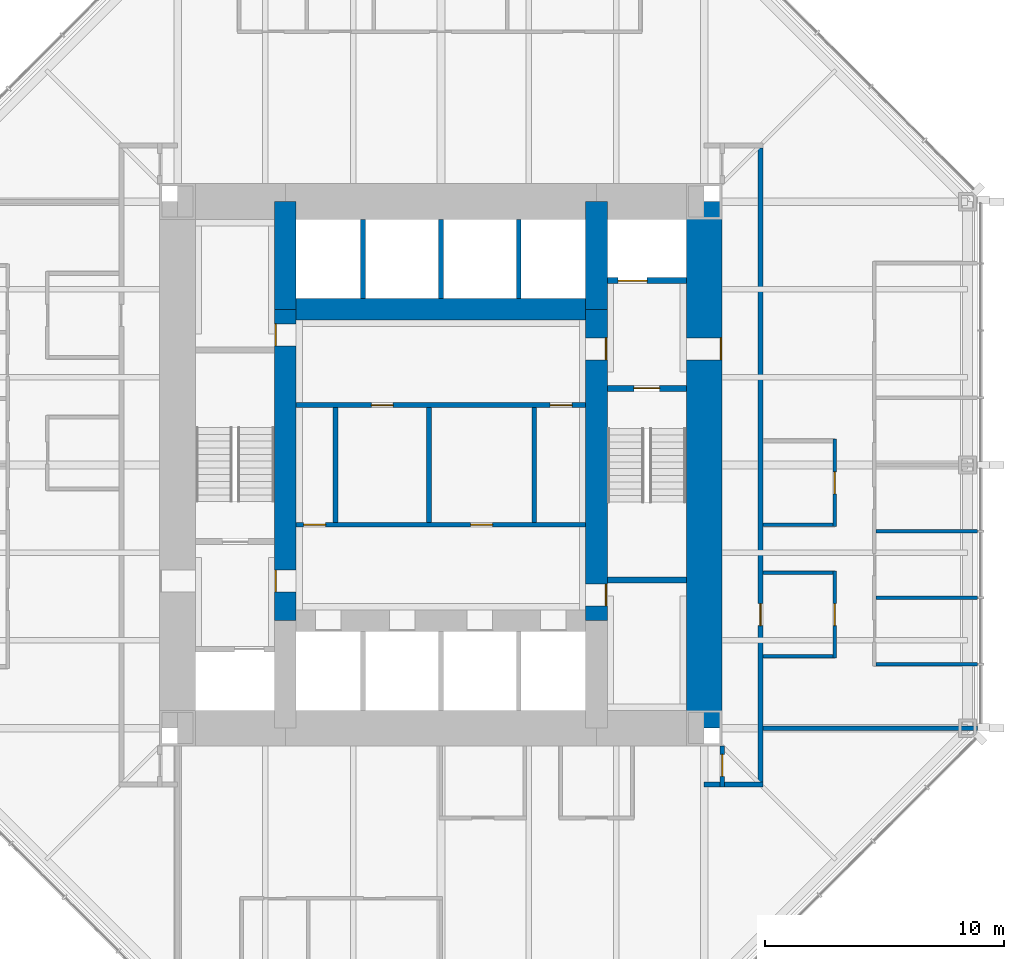
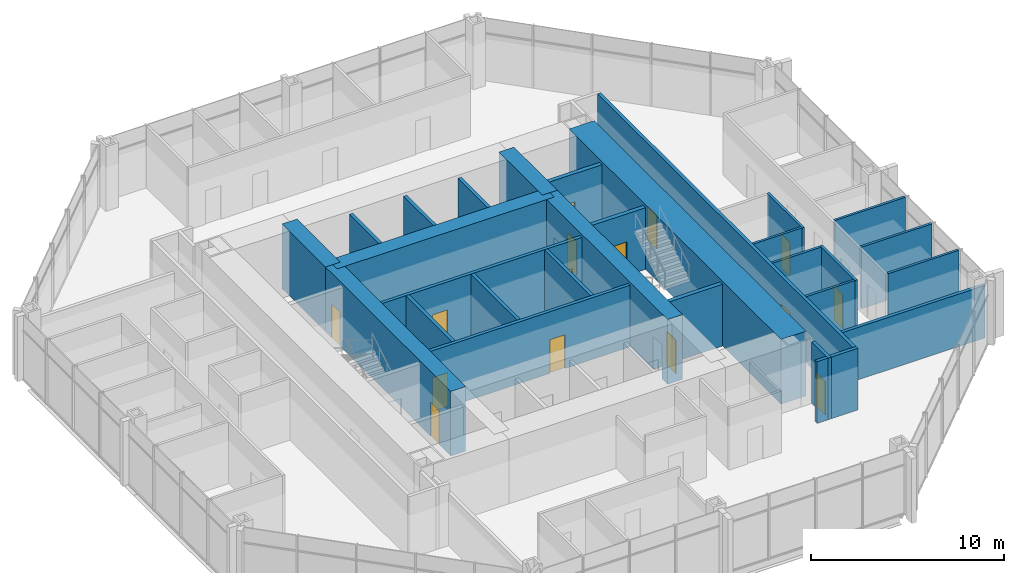
# One storey, part 10 of 12: 29 walls, 15 doors, 15 openings.
"""IFC4 building model written with IfcOpenShell, lengths in metres."""

from ifc_helpers import new_model, si_unit, direction, frame, frame_2d, origin, place, context, subcontext, project, spatial, rectangle, extrude, material, layer, layer_set, type_object, element, fill, save


model = new_model("IFC4")

# Units and contexts
model_context = context("Model", 3, precision=1e-05, world=origin(), true_north=direction((0.0, 1.0)))
body_context = subcontext(model_context, "Body", "Model", "MODEL_VIEW")
ifc_project = project(units=[si_unit("LENGTHUNIT", "METRE"), si_unit("AREAUNIT", "SQUARE_METRE"), si_unit("VOLUMEUNIT", "CUBIC_METRE"), si_unit("PLANEANGLEUNIT", "RADIAN"), si_unit("MASSUNIT", "GRAM", prefix="KILO")], contexts=[model_context])

# Site, building, storey
site_placement = place(None, origin())
site = spatial("IfcSite", under=ifc_project, at=site_placement, CompositionType="ELEMENT")
building_placement = place(site_placement, origin())
building = spatial("IfcBuilding", under=site, at=building_placement, Name="Trevanion Tower", CompositionType="ELEMENT")
storey_placement = place(building_placement, frame((0.0, 0.0, 121.300048828125)))
storey = spatial("IfcBuildingStorey", under=building, at=storey_placement, Name="L28", CompositionType="ELEMENT", Elevation=121.300048828125)

# Wall, opening, door
ifc_material_1 = material(Name="Concrete 10,000 psi", Category="concrete")
ifc_layer_1 = layer(ifc_material_1, 1.5)
ifc_layer_set_1 = layer_set([ifc_layer_1], Name="CW1 core wall 1500")
wall_type_1 = type_object("IfcWallType", Name="CW1 core wall 1500", PredefinedType="SHEAR", material=ifc_layer_set_1)
wall_1_placement = place(storey_placement, frame((11.0, -11.0, 0.0), z_axis=(0.0, 0.0, 1.0), x_axis=(0.0, 1.0, 0.0)))
wall_1 = element("IfcWall", 1, at=wall_1_placement, inside=storey, type_object=wall_type_1, Name="CW1 CE L28", PredefinedType="SHEAR", context=body_context, shape_type="SweptSolid", body=[
    extrude(rectangle(XDim=22.0, YDim=1.5, at=frame_2d((11.0, 0.0))), origin(), (0.0, 0.0, 1.0), 4.099853515625),
])
opening_1_placement = place(wall_1_placement, frame((15.392578125, 0.0, 0.0)))
opening_1 = element("IfcOpeningElement", 2, at=opening_1_placement, cuts=wall_1, Name="Opening 28-001", PredefinedType="OPENING", context=body_context, shape_type="SweptSolid", body=[
    extrude(rectangle(XDim=0.9150390625, YDim=2.134033203125, at=frame_2d((0.45751953125, 1.06689453125))), frame((0.0, 0.760009765625, 0.0), z_axis=(0.0, -1.0, 0.0), x_axis=(1.0, 0.0, 0.0)), (0.0, 0.0, 1.0), 1.52001953125),
])
ifc_material_2 = material(Name="Hollow metal, fire rated", Category="steel")
door_type_1 = type_object("IfcDoorType", Name="D3 fire lift lobby door", OperationType="SINGLE_SWING_RIGHT", PredefinedType="DOOR", material=ifc_material_2)
door_1_placement = place(opening_1_placement, origin())
door_1 = element("IfcDoor", 3, at=door_1_placement, inside=storey, type_object=door_type_1, Name="Door 28-001", OperationType="SINGLE_SWING_RIGHT", OverallHeight=2.134033203125, OverallWidth=0.9150390625, PredefinedType="DOOR", context=body_context, shape_type="SweptSolid", body=[
    extrude(rectangle(XDim=0.9150390625, YDim=2.134033203125, at=frame_2d((0.45751953125, 1.06689453125))), frame((0.0, -0.6748046875, 0.0), z_axis=(0.0, -1.0, 0.0), x_axis=(1.0, 0.0, 0.0)), (0.0, 0.0, 1.0), 0.050048828125),
])
fill(opening_1, door_1)

# Wall, openings, doors
ifc_material_3 = material(Name="Concrete 10,000 psi", Category="concrete")
ifc_layer_2 = layer(ifc_material_3, 0.89990234375)
ifc_layer_set_2 = layer_set([ifc_layer_2], Name="CW2 core wall 900")
wall_type_2 = type_object("IfcWallType", Name="CW2 core wall 900", PredefinedType="SHEAR", material=ifc_layer_set_2)
wall_2_placement = place(storey_placement, frame((6.5, -6.5, 0.0), z_axis=(0.0, 0.0, 1.0), x_axis=(0.0, 1.0, 0.0)))
wall_2 = element("IfcWall", 4, at=wall_2_placement, inside=storey, type_object=wall_type_2, Name="CW2 RE2 L28", PredefinedType="SHEAR", context=body_context, shape_type="SweptSolid", body=[
    extrude(rectangle(XDim=13.0, YDim=0.89990234375, at=frame_2d((6.5, 0.0))), origin(), (0.0, 0.0, 1.0), 4.099853515625),
])
opening_2_placement = place(wall_2_placement, frame((10.892578125, 0.0, 0.0)))
opening_2 = element("IfcOpeningElement", 5, at=opening_2_placement, cuts=wall_2, Name="Opening 28-003", PredefinedType="OPENING", context=body_context, shape_type="SweptSolid", body=[
    extrude(rectangle(XDim=0.9150390625, YDim=2.134033203125, at=frame_2d((0.45751953125, 1.06689453125))), frame((0.0, 0.4599609375, 0.0), z_axis=(0.0, -1.0, 0.0), x_axis=(1.0, 0.0, 0.0)), (0.0, 0.0, 1.0), 0.919921875),
])
opening_3_placement = place(wall_2_placement, frame((0.610107421875, 0.0, 0.0)))
opening_3 = element("IfcOpeningElement", 6, at=opening_3_placement, cuts=wall_2, Name="Opening 28-009", PredefinedType="OPENING", context=body_context, shape_type="SweptSolid", body=[
    extrude(rectangle(XDim=0.9150390625, YDim=2.134033203125, at=frame_2d((0.45751953125, 1.06689453125))), frame((0.0, 0.4599609375, 0.0), z_axis=(0.0, -1.0, 0.0), x_axis=(1.0, 0.0, 0.0)), (0.0, 0.0, 1.0), 0.919921875),
])
door_2_placement = place(opening_2_placement, origin())
door_2 = element("IfcDoor", 7, at=door_2_placement, inside=storey, type_object=door_type_1, Name="Door 28-003", OperationType="SINGLE_SWING_RIGHT", OverallHeight=2.134033203125, OverallWidth=0.9150390625, PredefinedType="DOOR", context=body_context, shape_type="SweptSolid", body=[
    extrude(rectangle(XDim=0.9150390625, YDim=2.134033203125, at=frame_2d((0.45751953125, 1.06689453125))), frame((0.0, -0.375, 0.0), z_axis=(0.0, -1.0, 0.0), x_axis=(1.0, 0.0, 0.0)), (0.0, 0.0, 1.0), 0.050048828125),
])
fill(opening_2, door_2)
ifc_material_4 = material(Name="Hollow metal, fire rated", Category="steel")
door_type_2 = type_object("IfcDoorType", Name="D5 service room door", OperationType="SINGLE_SWING_RIGHT", PredefinedType="DOOR", material=ifc_material_4)
door_3_placement = place(opening_3_placement, origin())
door_3 = element("IfcDoor", 8, at=door_3_placement, inside=storey, type_object=door_type_2, Name="Door 28-009", OperationType="SINGLE_SWING_RIGHT", OverallHeight=2.134033203125, OverallWidth=0.9150390625, PredefinedType="DOOR", context=body_context, shape_type="SweptSolid", body=[
    extrude(rectangle(XDim=0.9150390625, YDim=2.134033203125, at=frame_2d((0.45751953125, 1.06689453125))), frame((0.0, -0.375, 0.0), z_axis=(0.0, -1.0, 0.0), x_axis=(1.0, 0.0, 0.0)), (0.0, 0.0, 1.0), 0.050048828125),
])
fill(opening_3, door_3)

# Walls
for number, where, z_axis, x_axis, name in (
    (9, (6.5, 6.5, 0.0), (0.0, 0.0, 1.0), (0.0, 1.0, 0.0), "CW2 RE3 L28"),
    (10, (-6.5, 11.0, 0.0), (0.0, 0.0, 1.0), (0.0, -1.0, 0.0), "CW2 RW1 L28"),
):
    element("IfcWall", number, at=place(storey_placement, frame(where, z_axis=z_axis, x_axis=x_axis)), inside=storey, type_object=wall_type_2, Name=name, PredefinedType="SHEAR", context=body_context, shape_type="SweptSolid", body=[
        extrude(rectangle(XDim=4.5, YDim=0.89990234375, at=frame_2d((2.25, 0.0))), origin(), (0.0, 0.0, 1.0), 4.099853515625),
    ])

# Wall, openings, doors
wall_3_placement = place(storey_placement, frame((-6.5, 6.5, 0.0), z_axis=(0.0, 0.0, 1.0), x_axis=(0.0, -1.0, 0.0)))
wall_3 = element("IfcWall", 11, at=wall_3_placement, inside=storey, type_object=wall_type_2, Name="CW2 RW2 L28", PredefinedType="SHEAR", context=body_context, shape_type="SweptSolid", body=[
    extrude(rectangle(XDim=13.0, YDim=0.89990234375, at=frame_2d((6.5, 0.0))), origin(), (0.0, 0.0, 1.0), 4.099853515625),
])
opening_4_placement = place(wall_3_placement, frame((10.892578125, 0.0, 0.0)))
opening_4 = element("IfcOpeningElement", 12, at=opening_4_placement, cuts=wall_3, Name="Opening 28-004", PredefinedType="OPENING", context=body_context, shape_type="SweptSolid", body=[
    extrude(rectangle(XDim=0.9150390625, YDim=2.134033203125, at=frame_2d((0.45751953125, 1.06689453125))), frame((0.0, 0.4599609375, 0.0), z_axis=(0.0, -1.0, 0.0), x_axis=(1.0, 0.0, 0.0)), (0.0, 0.0, 1.0), 0.919921875),
])
opening_5_placement = place(wall_3_placement, frame((0.610107421875, 0.0, 0.0)))
opening_5 = element("IfcOpeningElement", 13, at=opening_5_placement, cuts=wall_3, Name="Opening 28-010", PredefinedType="OPENING", context=body_context, shape_type="SweptSolid", body=[
    extrude(rectangle(XDim=0.9150390625, YDim=2.134033203125, at=frame_2d((0.45751953125, 1.06689453125))), frame((0.0, 0.4599609375, 0.0), z_axis=(0.0, -1.0, 0.0), x_axis=(1.0, 0.0, 0.0)), (0.0, 0.0, 1.0), 0.919921875),
])
door_4_placement = place(opening_4_placement, origin())
door_4 = element("IfcDoor", 14, at=door_4_placement, inside=storey, type_object=door_type_1, Name="Door 28-004", OperationType="SINGLE_SWING_RIGHT", OverallHeight=2.134033203125, OverallWidth=0.9150390625, PredefinedType="DOOR", context=body_context, shape_type="SweptSolid", body=[
    extrude(rectangle(XDim=0.9150390625, YDim=2.134033203125, at=frame_2d((0.45751953125, 1.06689453125))), frame((0.0, -0.375, 0.0), z_axis=(0.0, -1.0, 0.0), x_axis=(1.0, 0.0, 0.0)), (0.0, 0.0, 1.0), 0.050048828125),
])
fill(opening_4, door_4)
door_5_placement = place(opening_5_placement, origin())
door_5 = element("IfcDoor", 15, at=door_5_placement, inside=storey, type_object=door_type_2, Name="Door 28-010", OperationType="SINGLE_SWING_RIGHT", OverallHeight=2.134033203125, OverallWidth=0.9150390625, PredefinedType="DOOR", context=body_context, shape_type="SweptSolid", body=[
    extrude(rectangle(XDim=0.9150390625, YDim=2.134033203125, at=frame_2d((0.45751953125, 1.06689453125))), frame((0.0, -0.375, 0.0), z_axis=(0.0, -1.0, 0.0), x_axis=(1.0, 0.0, 0.0)), (0.0, 0.0, 1.0), 0.050048828125),
])
fill(opening_5, door_5)

# Walls
wall_4_placement = place(storey_placement, frame((6.5, 6.5, 0.0), z_axis=(0.0, 0.0, 1.0), x_axis=(-1.0, 0.0, 0.0)))
element("IfcWall", 16, at=wall_4_placement, inside=storey, type_object=wall_type_2, Name="CW2 RN L28", PredefinedType="SHEAR", context=body_context, shape_type="SweptSolid", body=[
    extrude(rectangle(XDim=13.0, YDim=0.89990234375, at=frame_2d((6.5, 0.0))), origin(), (0.0, 0.0, 1.0), 4.099853515625),
])
ifc_material_5 = material(Name="Gypsum board on steel studs", Category="steel")
ifc_layer_3 = layer(ifc_material_5, 0.14990234375)
ifc_layer_set_3 = layer_set([ifc_layer_3], Name="PT1 partition 150")
wall_type_3 = type_object("IfcWallType", Name="PT1 partition 150", PredefinedType="PARTITIONING", material=ifc_layer_set_3)
for number, where, z_axis, x_axis, name in (
    (17, (18.175048828125, -8.322998046875, 0.0), (0.0, 0.0, 1.0), (1.0, 0.0, 0.0), "PT1 L28 FC0S0"),
    (18, (18.175048828125, -5.549072265625, 0.0), (0.0, 0.0, 1.0), (1.0, 0.0, 0.0), "PT1 L28 FC0S1"),
    (19, (18.175048828125, -2.77490234375, 0.0), (0.0, 0.0, 1.0), (1.0, 0.0, 0.0), "PT1 L28 FC0S2"),
):
    element("IfcWall", number, at=place(storey_placement, frame(where, z_axis=z_axis, x_axis=x_axis)), inside=storey, type_object=wall_type_3, Name=name, PredefinedType="PARTITIONING", context=body_context, shape_type="SweptSolid", body=[
        extrude(rectangle(XDim=4.239990234375, YDim=0.14990234375, at=frame_2d((2.1201171875, 0.0))), origin(), (0.0, 0.0, 1.0), 3.909912109375),
    ])

# Wall, opening, door
wall_5_placement = place(storey_placement, frame((16.449951171875, -8.074951171875, 0.0), z_axis=(0.0, 0.0, 1.0), x_axis=(0.0, 1.0, 0.0)))
wall_5 = element("IfcWall", 20, at=wall_5_placement, inside=storey, type_object=wall_type_3, Name="PT1 L28 IN00F", PredefinedType="PARTITIONING", context=body_context, shape_type="SweptSolid", body=[
    extrude(rectangle(XDim=3.64990234375, YDim=0.14990234375, at=frame_2d((1.824951171875, 0.0))), origin(), (0.0, 0.0, 1.0), 3.909912109375),
])
opening_6_placement = place(wall_5_placement, frame((1.367431640625, 0.0, 0.0)))
opening_6 = element("IfcOpeningElement", 21, at=opening_6_placement, cuts=wall_5, Name="Opening 28-039", PredefinedType="OPENING", context=body_context, shape_type="SweptSolid", body=[
    extrude(rectangle(XDim=0.9150390625, YDim=2.134033203125, at=frame_2d((0.45751953125, 1.06689453125))), frame((0.0, 0.0849609375, 0.0), z_axis=(0.0, -1.0, 0.0), x_axis=(1.0, 0.0, 0.0)), (0.0, 0.0, 1.0), 0.169921875),
])
ifc_material_6 = material(Name="Timber veneer, solid core", Category="wood")
door_type_3 = type_object("IfcDoorType", Name="D1 office and meeting room door", OperationType="SINGLE_SWING_LEFT", PredefinedType="DOOR", material=ifc_material_6)
door_6_placement = place(opening_6_placement, origin())
door_6 = element("IfcDoor", 22, at=door_6_placement, inside=storey, type_object=door_type_3, Name="Door 28-039", OperationType="SINGLE_SWING_LEFT", OverallHeight=2.134033203125, OverallWidth=0.9150390625, PredefinedType="DOOR", context=body_context, shape_type="SweptSolid", body=[
    extrude(rectangle(XDim=0.9150390625, YDim=2.134033203125, at=frame_2d((0.45751953125, 1.06689453125))), frame((0.0, 0.02490234375, 0.0), z_axis=(0.0, -1.0, 0.0), x_axis=(1.0, 0.0, 0.0)), (0.0, 0.0, 1.0), 0.050048828125),
])
fill(opening_6, door_6)

# Walls
for number, where, z_axis, x_axis, name in (
    (23, (16.375, -8.0, 0.0), (0.0, 0.0, 1.0), (-1.0, 0.0, 0.0), "PT1 L28 IN00S0"),
    (24, (16.375, -4.5, 0.0), (0.0, 0.0, 1.0), (-1.0, 0.0, 0.0), "PT1 L28 IN00S1"),
):
    element("IfcWall", number, at=place(storey_placement, frame(where, z_axis=z_axis, x_axis=x_axis)), inside=storey, type_object=wall_type_3, Name=name, PredefinedType="PARTITIONING", context=body_context, shape_type="SweptSolid", body=[
        extrude(rectangle(XDim=2.925048828125, YDim=0.14990234375, at=frame_2d((1.46240234375, 0.0))), origin(), (0.0, 0.0, 1.0), 3.909912109375),
    ])

# Wall, opening, door
wall_6_placement = place(storey_placement, frame((16.449951171875, -2.574951171875, 0.0), z_axis=(0.0, 0.0, 1.0), x_axis=(0.0, 1.0, 0.0)))
wall_6 = element("IfcWall", 25, at=wall_6_placement, inside=storey, type_object=wall_type_3, Name="PT1 L28 IN01F", PredefinedType="PARTITIONING", context=body_context, shape_type="SweptSolid", body=[
    extrude(rectangle(XDim=3.64990234375, YDim=0.14990234375, at=frame_2d((1.824951171875, 0.0))), origin(), (0.0, 0.0, 1.0), 3.909912109375),
])
opening_7_placement = place(wall_6_placement, frame((1.367431640625, 0.0, 0.0)))
opening_7 = element("IfcOpeningElement", 26, at=opening_7_placement, cuts=wall_6, Name="Opening 28-041", PredefinedType="OPENING", context=body_context, shape_type="SweptSolid", body=[
    extrude(rectangle(XDim=0.9150390625, YDim=2.134033203125, at=frame_2d((0.45751953125, 1.06689453125))), frame((0.0, 0.0849609375, 0.0), z_axis=(0.0, -1.0, 0.0), x_axis=(1.0, 0.0, 0.0)), (0.0, 0.0, 1.0), 0.169921875),
])
door_7_placement = place(opening_7_placement, origin())
door_7 = element("IfcDoor", 27, at=door_7_placement, inside=storey, type_object=door_type_3, Name="Door 28-041", OperationType="SINGLE_SWING_LEFT", OverallHeight=2.134033203125, OverallWidth=0.9150390625, PredefinedType="DOOR", context=body_context, shape_type="SweptSolid", body=[
    extrude(rectangle(XDim=0.9150390625, YDim=2.134033203125, at=frame_2d((0.45751953125, 1.06689453125))), frame((0.0, 0.02490234375, 0.0), z_axis=(0.0, -1.0, 0.0), x_axis=(1.0, 0.0, 0.0)), (0.0, 0.0, 1.0), 0.050048828125),
])
fill(opening_7, door_7)

# Walls
wall_7_placement = place(storey_placement, frame((16.375, -2.5, 0.0), z_axis=(0.0, 0.0, 1.0), x_axis=(-1.0, 0.0, 0.0)))
element("IfcWall", 28, at=wall_7_placement, inside=storey, type_object=wall_type_3, Name="PT1 L28 IN01S0", PredefinedType="PARTITIONING", context=body_context, shape_type="SweptSolid", body=[
    extrude(rectangle(XDim=2.925048828125, YDim=0.14990234375, at=frame_2d((1.46240234375, 0.0))), origin(), (0.0, 0.0, 1.0), 3.909912109375),
])
ifc_material_7 = material(Name="Concrete masonry, grouted", Category="masonry")
ifc_layer_4 = layer(ifc_material_7, 0.199951171875)
ifc_layer_set_4 = layer_set([ifc_layer_4], Name="PT2 partition 200")
wall_type_4 = type_object("IfcWallType", Name="PT2 partition 200", PredefinedType="PARTITIONING", material=ifc_layer_set_4)
for number, where, z_axis, x_axis, name in (
    (29, (-4.39990234375, -2.39990234375, 0.0), (0.0, 0.0, 1.0), (0.0, 1.0, 0.0), "PT2 L28 TP1"),
    (30, (-0.5, -2.39990234375, 0.0), (0.0, 0.0, 1.0), (0.0, 1.0, 0.0), "PT2 L28 TP2"),
    (31, (3.89990234375, -2.39990234375, 0.0), (0.0, 0.0, 1.0), (0.0, 1.0, 0.0), "PT2 L28 TP3"),
):
    element("IfcWall", number, at=place(storey_placement, frame(where, z_axis=z_axis, x_axis=x_axis)), inside=storey, type_object=wall_type_4, Name=name, PredefinedType="PARTITIONING", context=body_context, shape_type="SweptSolid", body=[
        extrude(rectangle(XDim=4.7998046875, YDim=0.199951171875, at=frame_2d((2.39990234375, 0.0))), origin(), (0.0, 0.0, 1.0), 3.909912109375),
    ])

# Wall, openings, doors
ifc_material_8 = material(Name="Concrete masonry, grouted", Category="masonry")
ifc_layer_5 = layer(ifc_material_8, 0.199951171875)
ifc_layer_set_5 = layer_set([ifc_layer_5], Name="PT2 partition 200 1 HR")
wall_type_5 = type_object("IfcWallType", Name="PT2 partition 200 1 HR", PredefinedType="PARTITIONING", material=ifc_layer_set_5)
wall_8_placement = place(storey_placement, frame((-6.050048828125, 2.5, 0.0), z_axis=(0.0, 0.0, 1.0), x_axis=(1.0, 0.0, 0.0)))
wall_8 = element("IfcWall", 32, at=wall_8_placement, inside=storey, type_object=wall_type_5, Name="PT2 L28 CP1", PredefinedType="PARTITIONING", context=body_context, shape_type="SweptSolid", body=[
    extrude(rectangle(XDim=12.10009765625, YDim=0.199951171875, at=frame_2d((6.050048828125, 0.0))), origin(), (0.0, 0.0, 1.0), 3.909912109375),
])
opening_8_placement = place(wall_8_placement, frame((3.142578125, 0.0, 0.0)))
opening_8 = element("IfcOpeningElement", 33, at=opening_8_placement, cuts=wall_8, Name="Opening 28-016", PredefinedType="OPENING", context=body_context, shape_type="SweptSolid", body=[
    extrude(rectangle(XDim=0.9150390625, YDim=2.134033203125, at=frame_2d((0.45751953125, 1.06689453125))), frame((0.0, 0.10986328125, 0.0), z_axis=(0.0, -1.0, 0.0), x_axis=(1.0, 0.0, 0.0)), (0.0, 0.0, 1.0), 0.219970703125),
])
opening_9_placement = place(wall_8_placement, frame((10.617431640625, 0.0, 0.0)))
opening_9 = element("IfcOpeningElement", 34, at=opening_9_placement, cuts=wall_8, Name="Opening 28-018", PredefinedType="OPENING", context=body_context, shape_type="SweptSolid", body=[
    extrude(rectangle(XDim=0.9150390625, YDim=2.134033203125, at=frame_2d((0.45751953125, 1.06689453125))), frame((0.0, 0.10986328125, 0.0), z_axis=(0.0, -1.0, 0.0), x_axis=(1.0, 0.0, 0.0)), (0.0, 0.0, 1.0), 0.219970703125),
])
ifc_material_9 = material(Name="Plastic laminate on fire-rated core", Category="wood")
door_type_4 = type_object("IfcDoorType", Name="D12 toilet door in a one hour wall", OperationType="SINGLE_SWING_LEFT", PredefinedType="DOOR", material=ifc_material_9)
door_8_placement = place(opening_8_placement, origin())
door_8 = element("IfcDoor", 35, at=door_8_placement, inside=storey, type_object=door_type_4, Name="Door 28-016", OperationType="SINGLE_SWING_LEFT", OverallHeight=2.134033203125, OverallWidth=0.9150390625, PredefinedType="DOOR", context=body_context, shape_type="SweptSolid", body=[
    extrude(rectangle(XDim=0.9150390625, YDim=2.134033203125, at=frame_2d((0.45751953125, 1.06689453125))), frame((0.0, 0.02490234375, 0.0), z_axis=(0.0, -1.0, 0.0), x_axis=(1.0, 0.0, 0.0)), (0.0, 0.0, 1.0), 0.050048828125),
])
fill(opening_8, door_8)
door_9_placement = place(opening_9_placement, origin())
door_9 = element("IfcDoor", 36, at=door_9_placement, inside=storey, type_object=door_type_4, Name="Door 28-018", OperationType="SINGLE_SWING_LEFT", OverallHeight=2.134033203125, OverallWidth=0.9150390625, PredefinedType="DOOR", context=body_context, shape_type="SweptSolid", body=[
    extrude(rectangle(XDim=0.9150390625, YDim=2.134033203125, at=frame_2d((0.45751953125, 1.06689453125))), frame((0.0, 0.02490234375, 0.0), z_axis=(0.0, -1.0, 0.0), x_axis=(1.0, 0.0, 0.0)), (0.0, 0.0, 1.0), 0.050048828125),
])
fill(opening_9, door_9)

wall_9_placement = place(storey_placement, frame((6.050048828125, -2.5, 0.0), z_axis=(0.0, 0.0, 1.0), x_axis=(-1.0, 0.0, 0.0)))
wall_9 = element("IfcWall", 37, at=wall_9_placement, inside=storey, type_object=wall_type_5, Name="PT2 L28 CP2", PredefinedType="PARTITIONING", context=body_context, shape_type="SweptSolid", body=[
    extrude(rectangle(XDim=12.10009765625, YDim=0.199951171875, at=frame_2d((6.050048828125, 0.0))), origin(), (0.0, 0.0, 1.0), 3.909912109375),
])
opening_10_placement = place(wall_9_placement, frame((10.867431640625, 0.0, 0.0)))
opening_10 = element("IfcOpeningElement", 38, at=opening_10_placement, cuts=wall_9, Name="Opening 28-015", PredefinedType="OPENING", context=body_context, shape_type="SweptSolid", body=[
    extrude(rectangle(XDim=0.9150390625, YDim=2.134033203125, at=frame_2d((0.45751953125, 1.06689453125))), frame((0.0, 0.10986328125, 0.0), z_axis=(0.0, -1.0, 0.0), x_axis=(1.0, 0.0, 0.0)), (0.0, 0.0, 1.0), 0.219970703125),
])
opening_11_placement = place(wall_9_placement, frame((3.892578125, 0.0, 0.0)))
opening_11 = element("IfcOpeningElement", 39, at=opening_11_placement, cuts=wall_9, Name="Opening 28-017", PredefinedType="OPENING", context=body_context, shape_type="SweptSolid", body=[
    extrude(rectangle(XDim=0.9150390625, YDim=2.134033203125, at=frame_2d((0.45751953125, 1.06689453125))), frame((0.0, 0.10986328125, 0.0), z_axis=(0.0, -1.0, 0.0), x_axis=(1.0, 0.0, 0.0)), (0.0, 0.0, 1.0), 0.219970703125),
])
door_10_placement = place(opening_11_placement, origin())
door_10 = element("IfcDoor", 40, at=door_10_placement, inside=storey, type_object=door_type_4, Name="Door 28-017", OperationType="SINGLE_SWING_LEFT", OverallHeight=2.134033203125, OverallWidth=0.9150390625, PredefinedType="DOOR", context=body_context, shape_type="SweptSolid", body=[
    extrude(rectangle(XDim=0.9150390625, YDim=2.134033203125, at=frame_2d((0.45751953125, 1.06689453125))), frame((0.0, 0.02490234375, 0.0), z_axis=(0.0, -1.0, 0.0), x_axis=(1.0, 0.0, 0.0)), (0.0, 0.0, 1.0), 0.050048828125),
])
fill(opening_11, door_10)
door_11_placement = place(opening_10_placement, origin())
door_11 = element("IfcDoor", 41, at=door_11_placement, inside=storey, type_object=door_type_2, Name="Door 28-015", OperationType="SINGLE_SWING_RIGHT", OverallHeight=2.134033203125, OverallWidth=0.9150390625, PredefinedType="DOOR", context=body_context, shape_type="SweptSolid", body=[
    extrude(rectangle(XDim=0.9150390625, YDim=2.134033203125, at=frame_2d((0.45751953125, 1.06689453125))), frame((0.0, 0.02490234375, 0.0), z_axis=(0.0, -1.0, 0.0), x_axis=(1.0, 0.0, 0.0)), (0.0, 0.0, 1.0), 0.050048828125),
])
fill(opening_10, door_11)

# Wall, opening, door
wall_10_placement = place(storey_placement, frame((13.35009765625, -13.449951171875, 0.0), z_axis=(0.0, 0.0, 1.0), x_axis=(0.0, 1.0, 0.0)))
wall_10 = element("IfcWall", 42, at=wall_10_placement, inside=storey, type_object=wall_type_5, Name="PT2 L28 OC0", PredefinedType="PARTITIONING", context=body_context, shape_type="SweptSolid", body=[
    extrude(rectangle(XDim=26.699951171875, YDim=0.199951171875, at=frame_2d((13.35009765625, 0.0))), origin(), (0.0, 0.0, 1.0), 3.909912109375),
])
opening_12_placement = place(wall_10_placement, frame((6.742431640625, 0.0, 0.0)))
opening_12 = element("IfcOpeningElement", 43, at=opening_12_placement, cuts=wall_10, Name="Opening 28-040", PredefinedType="OPENING", context=body_context, shape_type="SweptSolid", body=[
    extrude(rectangle(XDim=0.9150390625, YDim=2.134033203125, at=frame_2d((0.45751953125, 1.06689453125))), frame((0.0, 0.10986328125, 0.0), z_axis=(0.0, -1.0, 0.0), x_axis=(1.0, 0.0, 0.0)), (0.0, 0.0, 1.0), 0.219970703125),
])
ifc_material_10 = material(Name="Timber veneer, fire rated", Category="wood")
door_type_5 = type_object("IfcDoorType", Name="D10 office door in a one hour wall", OperationType="SINGLE_SWING_LEFT", PredefinedType="DOOR", material=ifc_material_10)
door_12_placement = place(opening_12_placement, origin())
door_12 = element("IfcDoor", 44, at=door_12_placement, inside=storey, type_object=door_type_5, Name="Door 28-040", OperationType="SINGLE_SWING_LEFT", OverallHeight=2.134033203125, OverallWidth=0.9150390625, PredefinedType="DOOR", context=body_context, shape_type="SweptSolid", body=[
    extrude(rectangle(XDim=0.9150390625, YDim=2.134033203125, at=frame_2d((0.45751953125, 1.06689453125))), frame((0.0, 0.02490234375, 0.0), z_axis=(0.0, -1.0, 0.0), x_axis=(1.0, 0.0, 0.0)), (0.0, 0.0, 1.0), 0.050048828125),
])
fill(opening_12, door_12)

wall_11_placement = place(storey_placement, frame((11.75, -11.75, 0.0), z_axis=(0.0, 0.0, 1.0), x_axis=(0.0, -1.0, 0.0)))
wall_11 = element("IfcWall", 45, at=wall_11_placement, inside=storey, type_object=wall_type_5, Name="PT2 L28 OUSE1", PredefinedType="PARTITIONING", context=body_context, shape_type="SweptSolid", body=[
    extrude(rectangle(XDim=1.699951171875, YDim=0.199951171875, at=frame_2d((0.85009765625, 0.0))), origin(), (0.0, 0.0, 1.0), 3.909912109375),
])
opening_13_placement = place(wall_11_placement, frame((0.342529296875, 0.0, 0.0)))
opening_13 = element("IfcOpeningElement", 46, at=opening_13_placement, cuts=wall_11, Name="Opening 28-021", PredefinedType="OPENING", context=body_context, shape_type="SweptSolid", body=[
    extrude(rectangle(XDim=0.9150390625, YDim=2.134033203125, at=frame_2d((0.45751953125, 1.06689453125))), frame((0.0, 0.10986328125, 0.0), z_axis=(0.0, -1.0, 0.0), x_axis=(1.0, 0.0, 0.0)), (0.0, 0.0, 1.0), 0.219970703125),
])
door_13_placement = place(opening_13_placement, origin())
door_13 = element("IfcDoor", 47, at=door_13_placement, inside=storey, type_object=door_type_5, Name="Door 28-021", OperationType="SINGLE_SWING_LEFT", OverallHeight=2.134033203125, OverallWidth=0.9150390625, PredefinedType="DOOR", context=body_context, shape_type="SweptSolid", body=[
    extrude(rectangle(XDim=0.9150390625, YDim=2.134033203125, at=frame_2d((0.45751953125, 1.06689453125))), frame((0.0, 0.02490234375, 0.0), z_axis=(0.0, -1.0, 0.0), x_axis=(1.0, 0.0, 0.0)), (0.0, 0.0, 1.0), 0.050048828125),
])
fill(opening_13, door_13)

# Walls
wall_12_placement = place(storey_placement, frame((11.0, -13.35009765625, 0.0), z_axis=(0.0, 0.0, 1.0), x_axis=(1.0, 0.0, 0.0)))
element("IfcWall", 48, at=wall_12_placement, inside=storey, type_object=wall_type_5, Name="PT2 L28 OUSE2", PredefinedType="PARTITIONING", context=body_context, shape_type="SweptSolid", body=[
    extrude(rectangle(XDim=2.449951171875, YDim=0.199951171875, at=frame_2d((1.22509765625, 0.0))), origin(), (0.0, 0.0, 1.0), 3.909912109375),
])
wall_13_placement = place(storey_placement, frame((13.449951171875, -11.0, 0.0), z_axis=(0.0, 0.0, 1.0), x_axis=(1.0, 0.0, 0.0)))
element("IfcWall", 49, at=wall_13_placement, inside=storey, type_object=wall_type_5, Name="PT2 L28 DM3", PredefinedType="PARTITIONING", context=body_context, shape_type="SweptSolid", body=[
    extrude(rectangle(XDim=8.965087890625, YDim=0.199951171875, at=frame_2d((4.482421875, 0.0))), origin(), (0.0, 0.0, 1.0), 3.32568359375),
])
ifc_material_11 = material(Name="Concrete masonry, grouted", Category="masonry")
ifc_layer_6 = layer(ifc_material_11, 0.199951171875)
ifc_layer_set_6 = layer_set([ifc_layer_6], Name="PT2 partition 200 2 HR")
wall_type_6 = type_object("IfcWallType", Name="PT2 partition 200 2 HR", PredefinedType="PARTITIONING", material=ifc_layer_set_6)
for number, where, z_axis, x_axis, name in (
    (50, (-3.25, 6.949951171875, 0.0), (0.0, 0.0, 1.0), (0.0, 1.0, 0.0), "PT2 L28 NS0"),
    (51, (0.0, 6.949951171875, 0.0), (0.0, 0.0, 1.0), (0.0, 1.0, 0.0), "PT2 L28 NS1"),
    (52, (3.25, 6.949951171875, 0.0), (0.0, 0.0, 1.0), (0.0, 1.0, 0.0), "PT2 L28 NS2"),
):
    element("IfcWall", number, at=place(storey_placement, frame(where, z_axis=z_axis, x_axis=x_axis)), inside=storey, type_object=wall_type_6, Name=name, PredefinedType="PARTITIONING", context=body_context, shape_type="SweptSolid", body=[
        extrude(rectangle(XDim=3.300048828125, YDim=0.199951171875, at=frame_2d((1.64990234375, 0.0))), origin(), (0.0, 0.0, 1.0), 3.909912109375),
    ])

# Wall, opening, door
ifc_material_12 = material(Name="Concrete masonry, grouted, two-hour", Category="masonry")
ifc_layer_7 = layer(ifc_material_12, 0.25)
ifc_layer_set_7 = layer_set([ifc_layer_7], Name="PT3 partition 250 2 HR")
wall_type_7 = type_object("IfcWallType", Name="PT3 partition 250 2 HR", PredefinedType="PARTITIONING", material=ifc_layer_set_7)
wall_14_placement = place(storey_placement, frame((6.949951171875, 7.699951171875, 0.0), z_axis=(0.0, 0.0, 1.0), x_axis=(1.0, 0.0, 0.0)))
wall_14 = element("IfcWall", 53, at=wall_14_placement, inside=storey, type_object=wall_type_7, Name="PT3 L28 EP3", PredefinedType="PARTITIONING", context=body_context, shape_type="SweptSolid", body=[
    extrude(rectangle(XDim=3.300048828125, YDim=0.25, at=frame_2d((1.64990234375, 0.0))), origin(), (0.0, 0.0, 1.0), 3.909912109375),
])
opening_14_placement = place(wall_14_placement, frame((0.449951171875, 0.0, 0.0)))
opening_14 = element("IfcOpeningElement", 54, at=opening_14_placement, cuts=wall_14, Name="Opening 28-007", PredefinedType="OPENING", context=body_context, shape_type="SweptSolid", body=[
    extrude(rectangle(XDim=1.218994140625, YDim=2.134033203125, at=frame_2d((0.609375, 1.06689453125))), frame((0.0, 0.135009765625, 0.0), z_axis=(0.0, -1.0, 0.0), x_axis=(1.0, 0.0, 0.0)), (0.0, 0.0, 1.0), 0.27001953125),
])
ifc_material_13 = material(Name="Stainless steel, fire rated", Category="steel")
door_type_6 = type_object("IfcDoorType", Name="LD2 fire service lift landing door", OperationType="SLIDING_TO_LEFT", PredefinedType="DOOR", material=ifc_material_13)
door_14_placement = place(opening_14_placement, origin())
door_14 = element("IfcDoor", 55, at=door_14_placement, inside=storey, type_object=door_type_6, Name="Door 28-007", OperationType="SLIDING_TO_LEFT", OverallHeight=2.134033203125, OverallWidth=1.218994140625, PredefinedType="DOOR", context=body_context, shape_type="SweptSolid", body=[
    extrude(rectangle(XDim=1.218994140625, YDim=2.134033203125, at=frame_2d((0.609375, 1.06689453125))), frame((0.0, 0.02490234375, 0.0), z_axis=(0.0, -1.0, 0.0), x_axis=(1.0, 0.0, 0.0)), (0.0, 0.0, 1.0), 0.050048828125),
])
fill(opening_14, door_14)

# Wall
ifc_material_14 = material(Name="Reinforced masonry, fully grouted", Category="masonry")
ifc_layer_8 = layer(ifc_material_14, 0.25)
ifc_layer_set_8 = layer_set([ifc_layer_8], Name="SW1 stair shaft wall 250")
wall_type_8 = type_object("IfcWallType", Name="SW1 stair shaft wall 250", PredefinedType="SOLIDWALL", material=ifc_layer_set_8)
wall_15_placement = place(storey_placement, frame((6.949951171875, -4.800048828125, 0.0), z_axis=(0.0, 0.0, 1.0), x_axis=(1.0, 0.0, 0.0)))
element("IfcWall", 56, at=wall_15_placement, inside=storey, type_object=wall_type_8, Name="SW1 L28 EP1", PredefinedType="SOLIDWALL", context=body_context, shape_type="SweptSolid", body=[
    extrude(rectangle(XDim=3.300048828125, YDim=0.25, at=frame_2d((1.64990234375, 0.0))), origin(), (0.0, 0.0, 1.0), 3.909912109375),
])

# Wall, opening, door
wall_16_placement = place(storey_placement, frame((6.949951171875, 3.199951171875, 0.0), z_axis=(0.0, 0.0, 1.0), x_axis=(1.0, 0.0, 0.0)))
wall_16 = element("IfcWall", 57, at=wall_16_placement, inside=storey, type_object=wall_type_8, Name="SW1 L28 EP2", PredefinedType="SOLIDWALL", context=body_context, shape_type="SweptSolid", body=[
    extrude(rectangle(XDim=3.300048828125, YDim=0.25, at=frame_2d((1.64990234375, 0.0))), origin(), (0.0, 0.0, 1.0), 3.909912109375),
])
opening_15_placement = place(wall_16_placement, frame((1.116455078125, 0.0, 0.0)))
opening_15 = element("IfcOpeningElement", 58, at=opening_15_placement, cuts=wall_16, Name="Opening 28-005", PredefinedType="OPENING", context=body_context, shape_type="SweptSolid", body=[
    extrude(rectangle(XDim=1.06689453125, YDim=2.134033203125, at=frame_2d((0.533447265625, 1.06689453125))), frame((0.0, 0.135009765625, 0.0), z_axis=(0.0, -1.0, 0.0), x_axis=(1.0, 0.0, 0.0)), (0.0, 0.0, 1.0), 0.27001953125),
])
ifc_material_15 = material(Name="Hollow metal, fire rated", Category="steel")
door_type_7 = type_object("IfcDoorType", Name="D2 exit stair door", OperationType="SINGLE_SWING_LEFT", PredefinedType="DOOR", material=ifc_material_15)
door_15_placement = place(opening_15_placement, origin())
door_15 = element("IfcDoor", 59, at=door_15_placement, inside=storey, type_object=door_type_7, Name="Door 28-005", OperationType="SINGLE_SWING_LEFT", OverallHeight=2.134033203125, OverallWidth=1.06689453125, PredefinedType="DOOR", context=body_context, shape_type="SweptSolid", body=[
    extrude(rectangle(XDim=1.06689453125, YDim=2.134033203125, at=frame_2d((0.533447265625, 1.06689453125))), frame((0.0, 0.02490234375, 0.0), z_axis=(0.0, -1.0, 0.0), x_axis=(1.0, 0.0, 0.0)), (0.0, 0.0, 1.0), 0.050048828125),
])
fill(opening_15, door_15)

save(model, "model.ifc")
